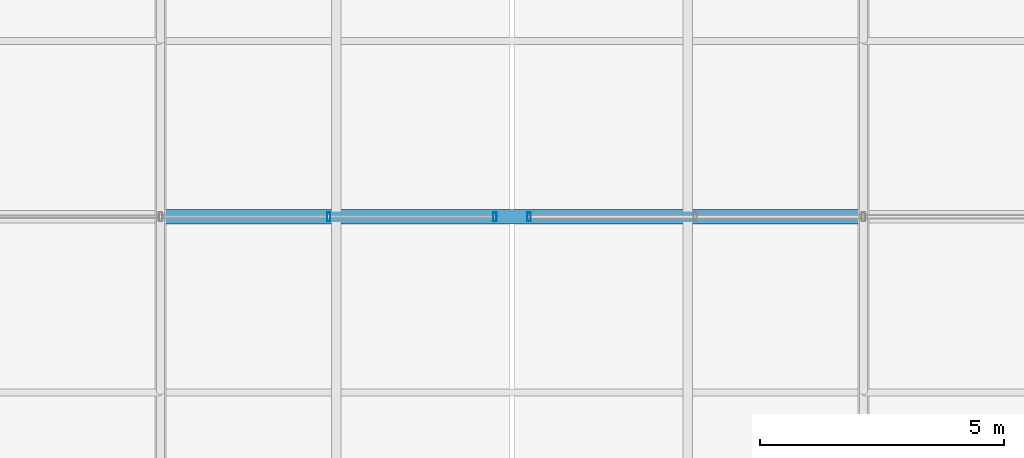
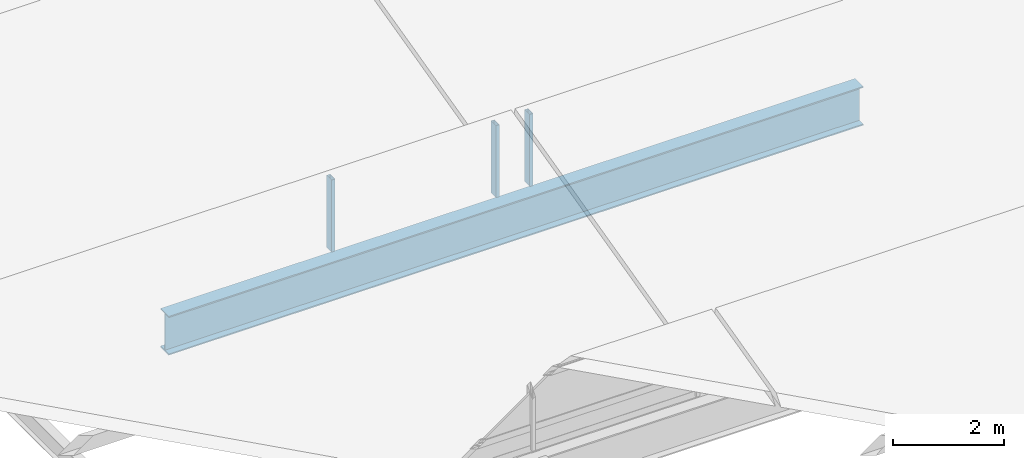
# One storey, part 72 of 144: 3 members, 1 beam, 2 elements without a shape of their own.
"""IFC4 building model written with IfcOpenShell, lengths in metres."""

from ifc_helpers import new_model, si_unit, direction, frame, origin, origin_2d, place, context, subcontext, project, spatial, hollow_rectangle, i_section, extrude, material, material_profile, profile_set, type_object, element, aggregate, save


model = new_model("IFC4")

# Units and contexts
model_context = context("Model", 3, precision=1e-05, world=origin(), true_north=direction((0.0, 1.0)))
body_context = subcontext(model_context, "Body", "Model", "MODEL_VIEW")
ifc_project = project(units=[si_unit("LENGTHUNIT", "METRE"), si_unit("AREAUNIT", "SQUARE_METRE"), si_unit("VOLUMEUNIT", "CUBIC_METRE"), si_unit("PLANEANGLEUNIT", "RADIAN"), si_unit("MASSUNIT", "GRAM", prefix="KILO")], contexts=[model_context])

# Site, building, storey
site_placement = place(None, origin())
site = spatial("IfcSite", under=ifc_project, at=site_placement, CompositionType="ELEMENT")
building_placement = place(site_placement, origin())
building = spatial("IfcBuilding", under=site, at=building_placement, Name="Yarey Park Central Fire Station", CompositionType="ELEMENT")
storey_placement = place(building_placement, frame((0.0, 0.0, 10.199951171875)))
storey = spatial("IfcBuildingStorey", under=building, at=storey_placement, Name="L03", CompositionType="ELEMENT", Elevation=10.199951171875)

# Curtain wall, members
ifc_material_1 = material(Name="Anodized Aluminium Frame", Category="aluminium")
curtain_wall_type = type_object("IfcCurtainWallType", Name="ENV_CW_SAW_18", PredefinedType="NOTDEFINED", material=ifc_material_1)
curtain_wall_1_placement = place(storey_placement, origin())
curtain_wall_1 = element("IfcCurtainWall", 1, at=curtain_wall_1_placement, inside=storey, type_object=curtain_wall_type, Name="CW_L03_SAW_5_1", PredefinedType="NOTDEFINED")
ifc_material_profile_1 = material_profile(ifc_material_1, hollow_rectangle(XDim=0.070068359375, YDim=0.179931640625, WallThickness=0.00390625, at=origin_2d()), Name="ALU 180x70x4")
ifc_profile_set_1 = profile_set([ifc_material_profile_1], Name="Anodized Aluminium Frame")
member_type = type_object("IfcMemberType", Name="ENV_CW_MULLION", PredefinedType="MULLION", material=ifc_profile_set_1)
member_1_placement = place(storey_placement, frame((150.85009765625, 79.199951171875, 0.0), z_axis=(0.0, 0.0, 1.0), x_axis=(1.0, 0.0, 0.0)))
member_1 = element("IfcMember", 2, at=member_1_placement, type_object=member_type, Name="CW_L03_SAW_5_1_MUL1", PredefinedType="MULLION", context=body_context, shape_type="SweptSolid", body=[
    extrude(hollow_rectangle(XDim=0.070068359375, YDim=0.179931640625, WallThickness=0.00390625, at=origin_2d()), origin(), (0.0, 0.0, 1.0), 1.580078125),
])
member_2_placement = place(storey_placement, frame((147.445068359375, 79.199951171875, 0.0), z_axis=(0.0, 0.0, 1.0), x_axis=(1.0, 0.0, 0.0)))
member_2 = element("IfcMember", 3, at=member_2_placement, type_object=member_type, Name="CW_L03_SAW_5_1_MUL2", PredefinedType="MULLION", context=body_context, shape_type="SweptSolid", body=[
    extrude(hollow_rectangle(XDim=0.070068359375, YDim=0.179931640625, WallThickness=0.00390625, at=origin_2d()), origin(), (0.0, 0.0, 1.0), 1.580078125),
])
aggregate(curtain_wall_1, [member_1, member_2])

# Curtain wall, member
curtain_wall_2_placement = place(storey_placement, origin())
curtain_wall_2 = element("IfcCurtainWall", 4, at=curtain_wall_2_placement, inside=storey, type_object=curtain_wall_type, Name="CW_L03_SAW_5_2", PredefinedType="NOTDEFINED")
member_3_placement = place(storey_placement, frame((151.550048828125, 79.199951171875, 0.0), z_axis=(0.0, 0.0, 1.0), x_axis=(1.0, 0.0, 0.0)))
member_3 = element("IfcMember", 5, at=member_3_placement, type_object=member_type, Name="CW_L03_SAW_5_2_MUL5", PredefinedType="MULLION", context=body_context, shape_type="SweptSolid", body=[
    extrude(hollow_rectangle(XDim=0.070068359375, YDim=0.179931640625, WallThickness=0.00390625, at=origin_2d()), origin(), (0.0, 0.0, 1.0), 1.580078125),
])
aggregate(curtain_wall_2, [member_3])

# Beam
ifc_material_2 = material(Name="Steel ASTM A992 Gr. 50", Category="steel")
ifc_material_profile_2 = material_profile(ifc_material_2, i_section(OverallWidth=0.2939453125, OverallDepth=0.85107421875, WebThickness=0.01611328125, FlangeThickness=0.02685546875, at=origin_2d()), Name="W840x226")
ifc_profile_set_2 = profile_set([ifc_material_profile_2], Name="Steel ASTM A992 Gr. 50")
beam_type = type_object("IfcBeamType", Name="STR_BM_W840", PredefinedType="BEAM", material=ifc_profile_set_2)
beam_placement = place(storey_placement, frame((144.0, 79.199951171875, -0.60546875), z_axis=(1.0, 0.0, 0.0), x_axis=(0.0, 1.0, 0.0)))
element("IfcBeam", 6, at=beam_placement, inside=storey, type_object=beam_type, Name="BMX L03 Y792 X1440", PredefinedType="BEAM", context=body_context, shape_type="SweptSolid", body=[
    extrude(i_section(OverallWidth=0.2939453125, OverallDepth=0.85107421875, WebThickness=0.01611328125, FlangeThickness=0.02685546875, at=origin_2d()), origin(), (0.0, 0.0, 1.0), 14.39990234375),
])

save(model, "model.ifc")
